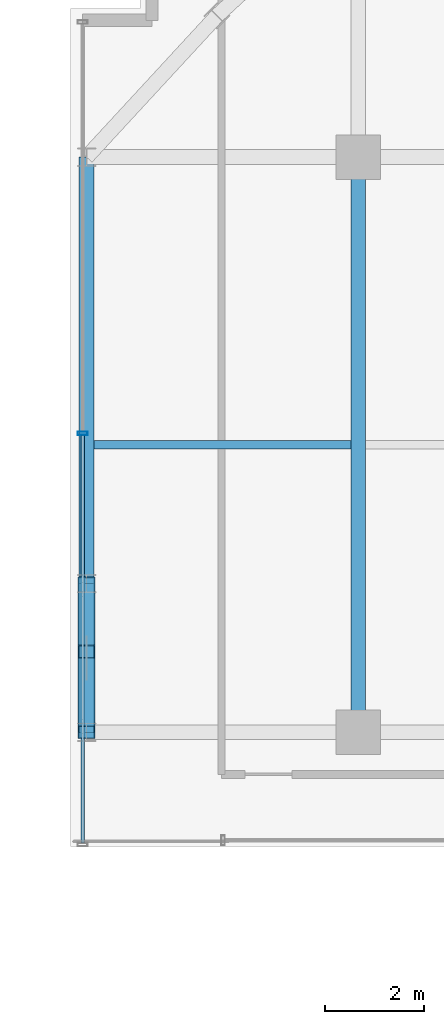
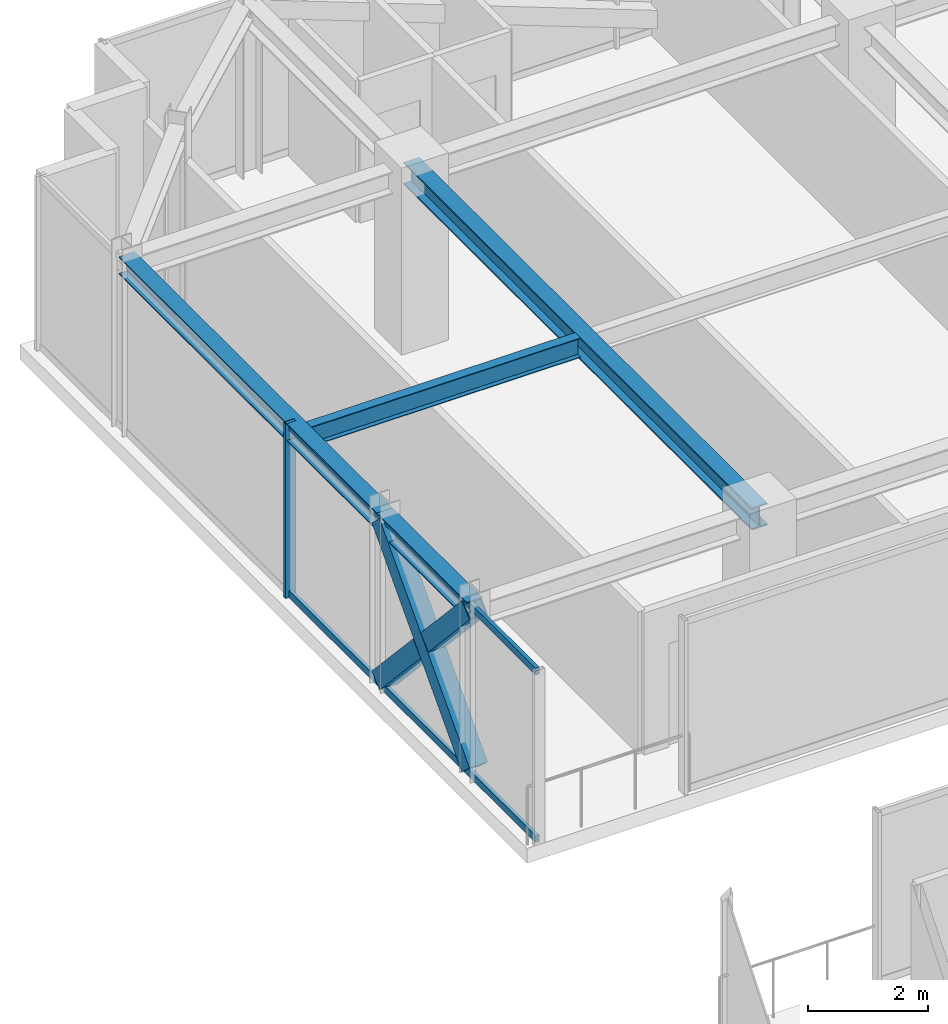
# One storey, part 21 of 37: 6 members, 4 beams, 1 element without a shape of its own.
"""IFC4 building model written with IfcOpenShell, lengths in metres."""

from ifc_helpers import new_model, si_unit, direction, frame, origin, origin_2d, place, context, subcontext, project, spatial, hollow_rectangle, i_section, extrude, source, transform, mapped, material, material_profile, profile_set, type_object, element, aggregate, save


model = new_model("IFC4")

# Units and contexts
model_context = context("Model", 3, precision=1e-05, world=origin(), true_north=direction((0.0, 1.0)))
body_context = subcontext(model_context, "Body", "Model", "MODEL_VIEW")
ifc_project = project(units=[si_unit("LENGTHUNIT", "METRE"), si_unit("AREAUNIT", "SQUARE_METRE"), si_unit("VOLUMEUNIT", "CUBIC_METRE"), si_unit("PLANEANGLEUNIT", "RADIAN"), si_unit("MASSUNIT", "GRAM", prefix="KILO")], contexts=[model_context])

# Site, building, storey
site_placement = place(None, origin())
site = spatial("IfcSite", under=ifc_project, at=site_placement, CompositionType="ELEMENT")
building_placement = place(site_placement, origin())
building = spatial("IfcBuilding", under=site, at=building_placement, Name="Nahalor Promenade Grand Hotel", CompositionType="ELEMENT")
storey_placement = place(building_placement, frame((0.0, 0.0, 292.64990234375)))
storey = spatial("IfcBuildingStorey", under=building, at=storey_placement, Name="L75", CompositionType="ELEMENT", Elevation=292.64990234375)

# Beams
ifc_material_1 = material(Name="Steel S355JR", Category="steel")
ifc_material_profile_1 = material_profile(ifc_material_1, i_section(OverallWidth=0.3, OverallDepth=0.45, WebThickness=0.014, FlangeThickness=0.026, at=origin_2d()), Name="HEB 450")
ifc_profile_set_1 = profile_set([ifc_material_profile_1], Name="Steel S355JR")
beam_type_1 = type_object("IfcBeamType", Name="Beam-Girder-HEB450", PredefinedType="BEAM", material=ifc_profile_set_1)
shared_shape_1 = source(origin(), body_context, "Body", "SweptSolid", [
    extrude(i_section(OverallWidth=0.3, OverallDepth=0.45, WebThickness=0.014, FlangeThickness=0.026, at=origin_2d()), origin(), (0.0, 0.0, 1.0), 11.60009765625),
])
beam_1_placement = place(storey_placement, frame((-17.0, 5.39990234375, 3.3251953125), z_axis=(0.0, 1.0, 0.0), x_axis=(-1.0, 0.0, 0.0)))
element("IfcBeam", 1, at=beam_1_placement, inside=storey, type_object=beam_type_1, Name="BM-L75-GY-0-3", PredefinedType="BEAM", context=body_context, shape_type="MappedRepresentation", body=[
    mapped(shared_shape_1, transform((0.0, 0.0, 0.0), scale=1.0)),
])
ifc_material_profile_2 = material_profile(ifc_material_1, i_section(OverallWidth=0.18, OverallDepth=0.4, WebThickness=0.0086, FlangeThickness=0.0135, at=origin_2d()), Name="IPE 400")
ifc_profile_set_2 = profile_set([ifc_material_profile_2], Name="Steel S355JR")
beam_type_2 = type_object("IfcBeamType", Name="Beam-Joist-IPE400", PredefinedType="JOIST", material=ifc_profile_set_2)
shared_shape_2 = source(origin(), body_context, "Body", "SweptSolid", [
    extrude(i_section(OverallWidth=0.18, OverallDepth=0.4, WebThickness=0.0086, FlangeThickness=0.0135, at=origin_2d()), origin(), (0.0, 0.0, 1.0), 5.18017578125),
])
beam_2_placement = place(storey_placement, frame((-22.330078125, 11.199951171875, 3.35009765625), z_axis=(1.0, 0.0, 0.0), x_axis=(0.0, 1.0, 0.0)))
element("IfcBeam", 2, at=beam_2_placement, inside=storey, type_object=beam_type_2, Name="BM-L75-JSW-1-0", PredefinedType="JOIST", context=body_context, shape_type="MappedRepresentation", body=[
    mapped(shared_shape_2, transform((0.0, 0.0, 0.0), scale=1.0)),
])
ifc_material_profile_3 = material_profile(ifc_material_1, i_section(OverallWidth=0.3, OverallDepth=0.36, WebThickness=0.0125, FlangeThickness=0.0225, at=origin_2d()), Name="HEB 360")
ifc_profile_set_3 = profile_set([ifc_material_profile_3], Name="Steel S355JR")
beam_type_3 = type_object("IfcBeamType", Name="Beam-Spandrel-HEB360", PredefinedType="SPANDREL", material=ifc_profile_set_3)
shared_shape_3 = source(origin(), body_context, "Body", "SweptSolid", [
    extrude(i_section(OverallWidth=0.3, OverallDepth=0.36, WebThickness=0.0125, FlangeThickness=0.0225, at=origin_2d()), origin(), (0.0, 0.0, 1.0), 8.60009765625),
])
beam_3_placement = place(storey_placement, frame((-22.47998046875, 8.39990234375, 3.3701171875), z_axis=(0.0, 1.0, 0.0), x_axis=(-1.0, 0.0, 0.0)))
element("IfcBeam", 3, at=beam_3_placement, inside=storey, type_object=beam_type_3, Name="BM-L75-SP-W-4", PredefinedType="SPANDREL", context=body_context, shape_type="MappedRepresentation", body=[
    mapped(shared_shape_3, transform((0.0, 0.0, 0.0), scale=1.0)),
])
shared_shape_4 = source(origin(), body_context, "Body", "SweptSolid", [
    extrude(i_section(OverallWidth=0.3, OverallDepth=0.36, WebThickness=0.0125, FlangeThickness=0.0225, at=origin_2d()), origin(), (0.0, 0.0, 1.0), 3.0),
])
beam_4_placement = place(storey_placement, frame((-22.47998046875, 5.39990234375, 3.3701171875), z_axis=(0.0, 1.0, 0.0), x_axis=(-1.0, 0.0, 0.0)))
element("IfcBeam", 4, at=beam_4_placement, inside=storey, type_object=beam_type_3, Name="BM-L75-SP-W-3", PredefinedType="SPANDREL", context=body_context, shape_type="MappedRepresentation", body=[
    mapped(shared_shape_4, transform((0.0, 0.0, 0.0), scale=1.0)),
])

# Members
ifc_material_profile_4 = material_profile(ifc_material_1, hollow_rectangle(XDim=0.35, YDim=0.35, WallThickness=0.02, at=origin_2d()), Name="SHS 350x350x20")
ifc_profile_set_4 = profile_set([ifc_material_profile_4], Name="Steel S355JR")
member_type_1 = type_object("IfcMemberType", Name="Mem-VoidBrace-SHS350", PredefinedType="BRACE", material=ifc_profile_set_4)
shared_shape_5 = source(origin(), body_context, "Body", "SweptSolid", [
    extrude(hollow_rectangle(XDim=0.35, YDim=0.35, WallThickness=0.02, at=origin_2d()), origin(), (0.0, 0.0, 1.0), 4.4228515625),
])
member_1_placement = place(storey_placement, frame((-22.47998046875, 5.39990234375, 0.150146484375), z_axis=(0.0, 0.678280102733, 0.734803444627), x_axis=(-1.0, 0.0, 0.0)))
element("IfcMember", 5, at=member_1_placement, inside=storey, type_object=member_type_1, Name="EXO-L75-VX1-W1", PredefinedType="BRACE", context=body_context, shape_type="MappedRepresentation", body=[
    mapped(shared_shape_5, transform((0.0, 0.0, 0.0), scale=1.0)),
])
shared_shape_6 = source(origin(), body_context, "Body", "SweptSolid", [
    extrude(hollow_rectangle(XDim=0.35, YDim=0.35, WallThickness=0.02, at=origin_2d()), origin(), (0.0, 0.0, 1.0), 2.02392578125),
])
for number, where, z_axis, x_axis, name in (
    (6, (-22.47998046875, 8.39990234375, 0.150146484375), (0.0, -0.678315173958, 0.734771069639), (1.0, 0.0, 0.0), "EXO-L75-VX2-W1A"),
    (7, (-22.47998046875, 6.772705078125, 1.912841796875), (0.0, -0.678255053132, 0.734826566545), (1.0, 0.0, 0.0), "EXO-L75-VX2-W1B"),
):
    element("IfcMember", number, at=place(storey_placement, frame(where, z_axis=z_axis, x_axis=x_axis)), inside=storey, type_object=member_type_1, Name=name, PredefinedType="BRACE", context=body_context, shape_type="MappedRepresentation", body=[
        mapped(shared_shape_6, transform((0.0, 0.0, 0.0), scale=1.0)),
    ])

# Curtain wall, members
ifc_material_2 = material(Name="Anodised Bronze Aluminium EN AW-6063 T6", Category="aluminium")
curtain_wall_type = type_object("IfcCurtainWallType", Name="CW3 Elliptical-Void Collar Unitised Curtain Wall", PredefinedType="USERDEFINED", material=ifc_material_2)
curtain_wall_placement = place(storey_placement, origin())
curtain_wall = element("IfcCurtainWall", 8, at=curtain_wall_placement, inside=storey, type_object=curtain_wall_type, Name="L75 Curtain Wall CW-L75-W-4", ObjectType="UNITISED_CURTAIN_WALL", PredefinedType="USERDEFINED")
ifc_material_profile_5 = material_profile(ifc_material_2, hollow_rectangle(XDim=0.07, YDim=0.14, WallThickness=0.004, at=origin_2d()), Name="CWT 70x140x4")
ifc_profile_set_5 = profile_set([ifc_material_profile_5], Name="Anodised Bronze Aluminium EN AW-6063 T6")
member_type_2 = type_object("IfcMemberType", Name="CWT3 Void Collar Transom 70x140", PredefinedType="USERDEFINED", material=ifc_profile_set_5)
shared_shape_7 = source(origin(), body_context, "Body", "SweptSolid", [
    extrude(hollow_rectangle(XDim=0.07, YDim=0.14, WallThickness=0.004, at=origin_2d()), origin(), (0.0, 0.0, 1.0), 8.22509765625),
])
member_2_placement = place(storey_placement, frame((-22.56005859375, 3.169921875, 0.070068359375), z_axis=(0.0, 1.0, 0.0), x_axis=(-1.0, 0.0, 0.0)))
member_2 = element("IfcMember", 9, at=member_2_placement, type_object=member_type_2, Name="CW-L75-W-4 Transom 0-0", ObjectType="TRANSOM", PredefinedType="USERDEFINED", context=body_context, shape_type="MappedRepresentation", body=[
    mapped(shared_shape_7, transform((0.0, 0.0, 0.0), scale=1.0)),
])
member_3_placement = place(storey_placement, frame((-22.56005859375, 3.169921875, 3.47998046875), z_axis=(0.0, 1.0, 0.0), x_axis=(-1.0, 0.0, 0.0)))
member_3 = element("IfcMember", 10, at=member_3_placement, type_object=member_type_2, Name="CW-L75-W-4 Transom 0-1", ObjectType="TRANSOM", PredefinedType="USERDEFINED", context=body_context, shape_type="MappedRepresentation", body=[
    mapped(shared_shape_7, transform((0.0, 0.0, 0.0), scale=1.0)),
])
ifc_material_profile_6 = material_profile(ifc_material_2, hollow_rectangle(XDim=0.07, YDim=0.2, WallThickness=0.005, at=origin_2d()), Name="CWM 70x200x5")
ifc_profile_set_6 = profile_set([ifc_material_profile_6], Name="Anodised Bronze Aluminium EN AW-6063 T6")
member_type_3 = type_object("IfcMemberType", Name="CWM3 Void Collar Mullion 70x200", PredefinedType="MULLION", material=ifc_profile_set_6)
shared_shape_8 = source(origin(), body_context, "Body", "SweptSolid", [
    extrude(hollow_rectangle(XDim=0.07, YDim=0.2, WallThickness=0.005, at=origin_2d()), origin(), (0.0, 0.0, 1.0), 3.550048828125),
])
member_4_placement = place(storey_placement, frame((-22.56005859375, 11.429931640625, 0.0), z_axis=(0.0, 0.0, 1.0), x_axis=(0.0, 1.0, 0.0)))
member_4 = element("IfcMember", 11, at=member_4_placement, type_object=member_type_3, Name="CW-L75-W-4 Mullion 1", PredefinedType="MULLION", context=body_context, shape_type="MappedRepresentation", body=[
    mapped(shared_shape_8, transform((0.0, 0.0, 0.0), scale=1.0)),
])
aggregate(curtain_wall, [member_4, member_2, member_3])

save(model, "model.ifc")
